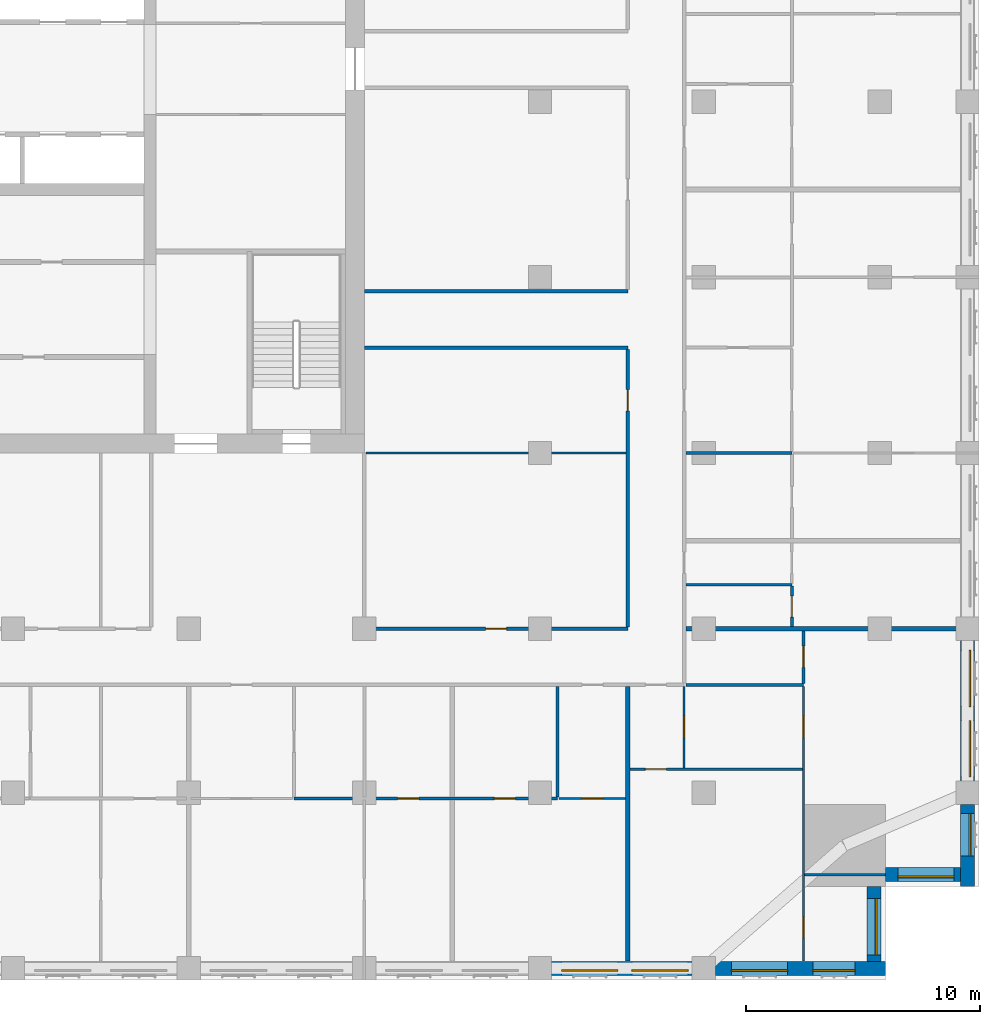
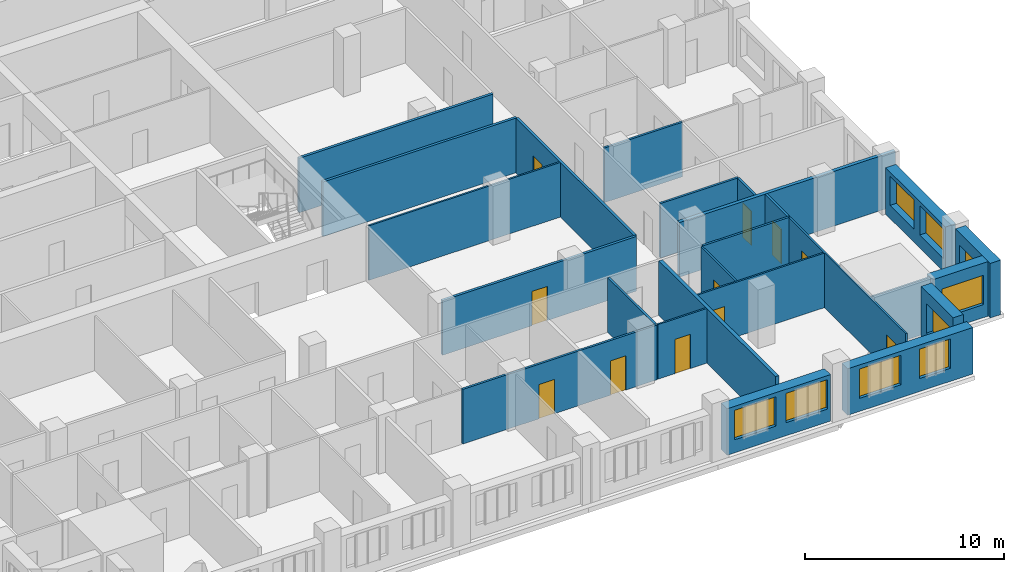
# One storey, part 6 of 14: 25 walls, 11 doors, 9 windows, 20 openings.
"""IFC4 building model written with IfcOpenShell, lengths in metres."""

from ifc_helpers import new_model, si_unit, direction, frame, frame_2d, origin, place, context, subcontext, project, spatial, rectangle, extrude, material, layer, layer_set, type_object, element, fill, save


model = new_model("IFC4")

# Units and contexts
model_context = context("Model", 3, precision=1e-05, world=origin(), true_north=direction((0.0, 1.0)))
body_context = subcontext(model_context, "Body", "Model", "MODEL_VIEW")
ifc_project = project(units=[si_unit("LENGTHUNIT", "METRE"), si_unit("AREAUNIT", "SQUARE_METRE"), si_unit("VOLUMEUNIT", "CUBIC_METRE"), si_unit("PLANEANGLEUNIT", "RADIAN"), si_unit("MASSUNIT", "GRAM", prefix="KILO")], contexts=[model_context])

# Site, building, storey
site_placement = place(None, origin())
site = spatial("IfcSite", under=ifc_project, at=site_placement, CompositionType="ELEMENT")
building_placement = place(site_placement, origin())
building = spatial("IfcBuilding", under=site, at=building_placement, Name="Tamorin Gate", CompositionType="ELEMENT")
storey_placement = place(building_placement, frame((0.0, 0.0, 137.39990234375)))
storey = spatial("IfcBuildingStorey", under=building, at=storey_placement, Name="L33", CompositionType="ELEMENT", Elevation=137.39990234375)

# Wall, openings, windows
ifc_material_1 = material(Name="Precast concrete C40/50", Category="concrete")
ifc_layer_1 = layer(ifc_material_1, 0.60009765625)
ifc_layer_set_1 = layer_set([ifc_layer_1], Name="Precast concrete C40/50")
wall_type_1 = type_object("IfcWallType", Name="Board-marked concrete facade panel 600", PredefinedType="SOLIDWALL", material=ifc_layer_set_1)
wall_1_placement = place(storey_placement, frame((68.0, 38.0, 0.0), z_axis=(0.0, 0.0, 1.0), x_axis=(1.0, 0.0, 0.0)))
wall_1 = element("IfcWall", 1, at=wall_1_placement, inside=storey, type_object=wall_type_1, Name="Facade panel", PredefinedType="SOLIDWALL", context=body_context, shape_type="SweptSolid", body=[
    extrude(rectangle(XDim=6.0, YDim=0.60009765625, at=frame_2d((3.0, 0.0))), origin(), (0.0, 0.0, 1.0), 2.85009765625),
])
opening_1_placement = place(wall_1_placement, frame((0.425048828125, 0.0, 0.800048828125)))
opening_1 = element("IfcOpeningElement", 2, at=opening_1_placement, cuts=wall_1, Name="Opening WN1", PredefinedType="OPENING", context=body_context, shape_type="SweptSolid", body=[
    extrude(rectangle(XDim=2.39990234375, YDim=1.800048828125, at=frame_2d((1.199951171875, 0.89990234375))), frame((0.0, 0.31005859375, 0.0), z_axis=(0.0, -1.0, 0.0), x_axis=(1.0, 0.0, 0.0)), (0.0, 0.0, 1.0), 0.6201171875),
])
opening_2_placement = place(wall_1_placement, frame((3.425048828125, 0.0, 0.800048828125)))
opening_2 = element("IfcOpeningElement", 3, at=opening_2_placement, cuts=wall_1, Name="Opening WN1", PredefinedType="OPENING", context=body_context, shape_type="SweptSolid", body=[
    extrude(rectangle(XDim=2.39990234375, YDim=1.800048828125, at=frame_2d((1.199951171875, 0.89990234375))), frame((0.0, 0.31005859375, 0.0), z_axis=(0.0, -1.0, 0.0), x_axis=(1.0, 0.0, 0.0)), (0.0, 0.0, 1.0), 0.6201171875),
])
ifc_material_2 = material(Name="Clear glass in aluminium frame", Category="aluminium")
window_type_1 = type_object("IfcWindowType", Name="Deep-set window 2400x1800", PartitioningType="SINGLE_PANEL", PredefinedType="WINDOW", material=ifc_material_2)
window_1_placement = place(opening_1_placement, origin())
window_1 = element("IfcWindow", 4, at=window_1_placement, inside=storey, type_object=window_type_1, Name="Deep-set window", OverallHeight=1.800048828125, OverallWidth=2.39990234375, PartitioningType="SINGLE_PANEL", PredefinedType="WINDOW", context=body_context, shape_type="SweptSolid", body=[
    extrude(rectangle(XDim=2.39990234375, YDim=1.800048828125, at=frame_2d((1.199951171875, 0.89990234375))), frame((0.0, -0.070068359375, 0.0), z_axis=(0.0, -1.0, 0.0), x_axis=(1.0, 0.0, 0.0)), (0.0, 0.0, 1.0), 0.06005859375),
])
fill(opening_1, window_1)
window_2_placement = place(opening_2_placement, origin())
window_2 = element("IfcWindow", 5, at=window_2_placement, inside=storey, type_object=window_type_1, Name="Deep-set window", OverallHeight=1.800048828125, OverallWidth=2.39990234375, PartitioningType="SINGLE_PANEL", PredefinedType="WINDOW", context=body_context, shape_type="SweptSolid", body=[
    extrude(rectangle(XDim=2.39990234375, YDim=1.800048828125, at=frame_2d((1.199951171875, 0.89990234375))), frame((0.0, -0.070068359375, 0.0), z_axis=(0.0, -1.0, 0.0), x_axis=(1.0, 0.0, 0.0)), (0.0, 0.0, 1.0), 0.06005859375),
])
fill(opening_2, window_2)

wall_2_placement = place(storey_placement, frame((75.0, 38.0, 0.0), z_axis=(0.0, 0.0, 1.0), x_axis=(1.0, 0.0, 0.0)))
wall_2 = element("IfcWall", 6, at=wall_2_placement, inside=storey, type_object=wall_type_1, Name="Facade panel", PredefinedType="SOLIDWALL", context=body_context, shape_type="SweptSolid", body=[
    extrude(rectangle(XDim=7.25, YDim=0.60009765625, at=frame_2d((3.625, 0.0))), origin(), (0.0, 0.0, 1.0), 2.85009765625),
])
opening_3_placement = place(wall_2_placement, frame((0.675048828125, 0.0, 0.800048828125)))
opening_3 = element("IfcOpeningElement", 7, at=opening_3_placement, cuts=wall_2, Name="Opening WN1", PredefinedType="OPENING", context=body_context, shape_type="SweptSolid", body=[
    extrude(rectangle(XDim=2.39990234375, YDim=1.800048828125, at=frame_2d((1.199951171875, 0.89990234375))), frame((0.0, 0.31005859375, 0.0), z_axis=(0.0, -1.0, 0.0), x_axis=(1.0, 0.0, 0.0)), (0.0, 0.0, 1.0), 0.6201171875),
])
opening_4_placement = place(wall_2_placement, frame((4.14990234375, 0.0, 0.800048828125)))
opening_4 = element("IfcOpeningElement", 8, at=opening_4_placement, cuts=wall_2, Name="Opening WN2", PredefinedType="OPENING", context=body_context, shape_type="SweptSolid", body=[
    extrude(rectangle(XDim=1.800048828125, YDim=1.800048828125, at=frame_2d((0.89990234375, 0.89990234375))), frame((0.0, 0.31005859375, 0.0), z_axis=(0.0, -1.0, 0.0), x_axis=(1.0, 0.0, 0.0)), (0.0, 0.0, 1.0), 0.6201171875),
])
window_type_2 = type_object("IfcWindowType", Name="Deep-set window 1800x1800", PartitioningType="SINGLE_PANEL", PredefinedType="WINDOW", material=ifc_material_2)
window_3_placement = place(opening_4_placement, origin())
window_3 = element("IfcWindow", 9, at=window_3_placement, inside=storey, type_object=window_type_2, Name="Deep-set window", OverallHeight=1.800048828125, OverallWidth=1.800048828125, PartitioningType="SINGLE_PANEL", PredefinedType="WINDOW", context=body_context, shape_type="SweptSolid", body=[
    extrude(rectangle(XDim=1.800048828125, YDim=1.800048828125, at=frame_2d((0.89990234375, 0.89990234375))), frame((0.0, -0.070068359375, 0.0), z_axis=(0.0, -1.0, 0.0), x_axis=(1.0, 0.0, 0.0)), (0.0, 0.0, 1.0), 0.06005859375),
])
fill(opening_4, window_3)
window_4_placement = place(opening_3_placement, origin())
window_4 = element("IfcWindow", 10, at=window_4_placement, inside=storey, type_object=window_type_1, Name="Deep-set window", OverallHeight=1.800048828125, OverallWidth=2.39990234375, PartitioningType="SINGLE_PANEL", PredefinedType="WINDOW", context=body_context, shape_type="SweptSolid", body=[
    extrude(rectangle(XDim=2.39990234375, YDim=1.800048828125, at=frame_2d((1.199951171875, 0.89990234375))), frame((0.0, -0.070068359375, 0.0), z_axis=(0.0, -1.0, 0.0), x_axis=(1.0, 0.0, 0.0)), (0.0, 0.0, 1.0), 0.06005859375),
])
fill(opening_3, window_4)

# Wall, opening, window
wall_3_placement = place(storey_placement, frame((81.75, 38.300048828125, 0.0), z_axis=(0.0, 0.0, 1.0), x_axis=(0.0, 1.0, 0.0)))
wall_3 = element("IfcWall", 11, at=wall_3_placement, inside=storey, type_object=wall_type_1, Name="Facade panel", PredefinedType="SOLIDWALL", context=body_context, shape_type="SweptSolid", body=[
    extrude(rectangle(XDim=3.199951171875, YDim=0.60009765625, at=frame_2d((1.60009765625, 0.0))), origin(), (0.0, 0.0, 1.0), 3.35009765625),
])
opening_5_placement = place(wall_3_placement, frame((0.27490234375, 0.0, 0.800048828125)))
opening_5 = element("IfcOpeningElement", 12, at=opening_5_placement, cuts=wall_3, Name="Opening WN1", PredefinedType="OPENING", context=body_context, shape_type="SweptSolid", body=[
    extrude(rectangle(XDim=2.39990234375, YDim=1.800048828125, at=frame_2d((1.199951171875, 0.89990234375))), frame((0.0, 0.31005859375, 0.0), z_axis=(0.0, -1.0, 0.0), x_axis=(1.0, 0.0, 0.0)), (0.0, 0.0, 1.0), 0.6201171875),
])
window_5_placement = place(opening_5_placement, origin())
window_5 = element("IfcWindow", 13, at=window_5_placement, inside=storey, type_object=window_type_1, Name="Deep-set window", OverallHeight=1.800048828125, OverallWidth=2.39990234375, PartitioningType="SINGLE_PANEL", PredefinedType="WINDOW", context=body_context, shape_type="SweptSolid", body=[
    extrude(rectangle(XDim=2.39990234375, YDim=1.800048828125, at=frame_2d((1.199951171875, 0.89990234375))), frame((0.0, -0.070068359375, 0.0), z_axis=(0.0, -1.0, 0.0), x_axis=(1.0, 0.0, 0.0)), (0.0, 0.0, 1.0), 0.06005859375),
])
fill(opening_5, window_5)

wall_4_placement = place(storey_placement, frame((82.25, 42.0, 0.0), z_axis=(0.0, 0.0, 1.0), x_axis=(1.0, 0.0, 0.0)))
wall_4 = element("IfcWall", 14, at=wall_4_placement, inside=storey, type_object=wall_type_1, Name="Facade panel", PredefinedType="SOLIDWALL", context=body_context, shape_type="SweptSolid", body=[
    extrude(rectangle(XDim=3.199951171875, YDim=0.60009765625, at=frame_2d((1.60009765625, 0.0))), origin(), (0.0, 0.0, 1.0), 3.35009765625),
])
opening_6_placement = place(wall_4_placement, frame((0.52490234375, 0.0, 0.800048828125)))
opening_6 = element("IfcOpeningElement", 15, at=opening_6_placement, cuts=wall_4, Name="Opening WN1", PredefinedType="OPENING", context=body_context, shape_type="SweptSolid", body=[
    extrude(rectangle(XDim=2.39990234375, YDim=1.800048828125, at=frame_2d((1.199951171875, 0.89990234375))), frame((0.0, 0.31005859375, 0.0), z_axis=(0.0, -1.0, 0.0), x_axis=(1.0, 0.0, 0.0)), (0.0, 0.0, 1.0), 0.6201171875),
])
window_6_placement = place(opening_6_placement, origin())
window_6 = element("IfcWindow", 16, at=window_6_placement, inside=storey, type_object=window_type_1, Name="Deep-set window", OverallHeight=1.800048828125, OverallWidth=2.39990234375, PartitioningType="SINGLE_PANEL", PredefinedType="WINDOW", context=body_context, shape_type="SweptSolid", body=[
    extrude(rectangle(XDim=2.39990234375, YDim=1.800048828125, at=frame_2d((1.199951171875, 0.89990234375))), frame((0.0, -0.070068359375, 0.0), z_axis=(0.0, -1.0, 0.0), x_axis=(1.0, 0.0, 0.0)), (0.0, 0.0, 1.0), 0.06005859375),
])
fill(opening_6, window_6)

wall_5_placement = place(storey_placement, frame((85.75, 41.5, 0.0), z_axis=(0.0, 0.0, 1.0), x_axis=(0.0, 1.0, 0.0)))
wall_5 = element("IfcWall", 17, at=wall_5_placement, inside=storey, type_object=wall_type_1, Name="Facade panel", PredefinedType="SOLIDWALL", context=body_context, shape_type="SweptSolid", body=[
    extrude(rectangle(XDim=3.5, YDim=0.60009765625, at=frame_2d((1.75, 0.0))), origin(), (0.0, 0.0, 1.0), 3.35009765625),
])
opening_7_placement = place(wall_5_placement, frame((1.300048828125, 0.0, 0.800048828125)))
opening_7 = element("IfcOpeningElement", 18, at=opening_7_placement, cuts=wall_5, Name="Opening WN2", PredefinedType="OPENING", context=body_context, shape_type="SweptSolid", body=[
    extrude(rectangle(XDim=1.800048828125, YDim=1.800048828125, at=frame_2d((0.89990234375, 0.89990234375))), frame((0.0, 0.31005859375, 0.0), z_axis=(0.0, -1.0, 0.0), x_axis=(1.0, 0.0, 0.0)), (0.0, 0.0, 1.0), 0.6201171875),
])
window_7_placement = place(opening_7_placement, origin())
window_7 = element("IfcWindow", 19, at=window_7_placement, inside=storey, type_object=window_type_2, Name="Deep-set window", OverallHeight=1.800048828125, OverallWidth=1.800048828125, PartitioningType="SINGLE_PANEL", PredefinedType="WINDOW", context=body_context, shape_type="SweptSolid", body=[
    extrude(rectangle(XDim=1.800048828125, YDim=1.800048828125, at=frame_2d((0.89990234375, 0.89990234375))), frame((0.0, -0.070068359375, 0.0), z_axis=(0.0, -1.0, 0.0), x_axis=(1.0, 0.0, 0.0)), (0.0, 0.0, 1.0), 0.06005859375),
])
fill(opening_7, window_7)

# Wall, openings, windows
wall_6_placement = place(storey_placement, frame((85.75, 46.0, 0.0), z_axis=(0.0, 0.0, 1.0), x_axis=(0.0, 1.0, 0.0)))
wall_6 = element("IfcWall", 20, at=wall_6_placement, inside=storey, type_object=wall_type_1, Name="Facade panel", PredefinedType="SOLIDWALL", context=body_context, shape_type="SweptSolid", body=[
    extrude(rectangle(XDim=6.0, YDim=0.60009765625, at=frame_2d((3.0, 0.0))), origin(), (0.0, 0.0, 1.0), 2.85009765625),
])
opening_8_placement = place(wall_6_placement, frame((0.175048828125, 0.0, 0.800048828125)))
opening_8 = element("IfcOpeningElement", 21, at=opening_8_placement, cuts=wall_6, Name="Opening WN1", PredefinedType="OPENING", context=body_context, shape_type="SweptSolid", body=[
    extrude(rectangle(XDim=2.39990234375, YDim=1.800048828125, at=frame_2d((1.199951171875, 0.89990234375))), frame((0.0, 0.31005859375, 0.0), z_axis=(0.0, -1.0, 0.0), x_axis=(1.0, 0.0, 0.0)), (0.0, 0.0, 1.0), 0.6201171875),
])
opening_9_placement = place(wall_6_placement, frame((3.175048828125, 0.0, 0.800048828125)))
opening_9 = element("IfcOpeningElement", 22, at=opening_9_placement, cuts=wall_6, Name="Opening WN1", PredefinedType="OPENING", context=body_context, shape_type="SweptSolid", body=[
    extrude(rectangle(XDim=2.39990234375, YDim=1.800048828125, at=frame_2d((1.199951171875, 0.89990234375))), frame((0.0, 0.31005859375, 0.0), z_axis=(0.0, -1.0, 0.0), x_axis=(1.0, 0.0, 0.0)), (0.0, 0.0, 1.0), 0.6201171875),
])
window_8_placement = place(opening_8_placement, origin())
window_8 = element("IfcWindow", 23, at=window_8_placement, inside=storey, type_object=window_type_1, Name="Deep-set window", OverallHeight=1.800048828125, OverallWidth=2.39990234375, PartitioningType="SINGLE_PANEL", PredefinedType="WINDOW", context=body_context, shape_type="SweptSolid", body=[
    extrude(rectangle(XDim=2.39990234375, YDim=1.800048828125, at=frame_2d((1.199951171875, 0.89990234375))), frame((0.0, -0.070068359375, 0.0), z_axis=(0.0, -1.0, 0.0), x_axis=(1.0, 0.0, 0.0)), (0.0, 0.0, 1.0), 0.06005859375),
])
fill(opening_8, window_8)
window_9_placement = place(opening_9_placement, origin())
window_9 = element("IfcWindow", 24, at=window_9_placement, inside=storey, type_object=window_type_1, Name="Deep-set window", OverallHeight=1.800048828125, OverallWidth=2.39990234375, PartitioningType="SINGLE_PANEL", PredefinedType="WINDOW", context=body_context, shape_type="SweptSolid", body=[
    extrude(rectangle(XDim=2.39990234375, YDim=1.800048828125, at=frame_2d((1.199951171875, 0.89990234375))), frame((0.0, -0.070068359375, 0.0), z_axis=(0.0, -1.0, 0.0), x_axis=(1.0, 0.0, 0.0)), (0.0, 0.0, 1.0), 0.06005859375),
])
fill(opening_9, window_9)

# Wall, opening, door
ifc_material_3 = material(Name="Gypsum board partition")
ifc_layer_2 = layer(ifc_material_3, 0.14990234375)
ifc_layer_set_2 = layer_set([ifc_layer_2], Name="Corridor wall 150")
wall_type_2 = type_object("IfcWallType", Name="Corridor wall 150", PredefinedType="PARTITIONING", material=ifc_layer_set_2)
wall_7_placement = place(storey_placement, frame((60.0, 52.5, 0.0), z_axis=(0.0, 0.0, 1.0), x_axis=(1.0, 0.0, 0.0)))
wall_7 = element("IfcWall", 25, at=wall_7_placement, inside=storey, type_object=wall_type_2, Name="Corridor wall 150", PredefinedType="PARTITIONING", context=body_context, shape_type="SweptSolid", body=[
    extrude(rectangle(XDim=11.25, YDim=0.14990234375, at=frame_2d((5.625, 0.0))), origin(), (0.0, 0.0, 1.0), 3.35009765625),
])
opening_10_placement = place(wall_7_placement, frame((5.175048828125, 0.0, 0.0)))
opening_10 = element("IfcOpeningElement", 26, at=opening_10_placement, cuts=wall_7, Name="Opening DS3072", PredefinedType="OPENING", context=body_context, shape_type="SweptSolid", body=[
    extrude(rectangle(XDim=0.89990234375, YDim=2.10009765625, at=frame_2d((0.449951171875, 1.050048828125))), frame((0.0, 0.0849609375, 0.0), z_axis=(0.0, -1.0, 0.0), x_axis=(1.0, 0.0, 0.0)), (0.0, 0.0, 1.0), 0.169921875),
])
ifc_material_4 = material(Name="Timber door leaf", Category="wood")
door_type_1 = type_object("IfcDoorType", Name="Door 900 x 2100 FD30S", OperationType="NOTDEFINED", PredefinedType="DOOR", material=ifc_material_4)
door_1_placement = place(opening_10_placement, origin())
door_1 = element("IfcDoor", 27, at=door_1_placement, inside=storey, type_object=door_type_1, Name="Door DS3072", OperationType="SINGLE_SWING_LEFT", OverallHeight=2.10009765625, OverallWidth=0.89990234375, PredefinedType="DOOR", context=body_context, shape_type="SweptSolid", body=[
    extrude(rectangle(XDim=0.89990234375, YDim=2.10009765625, at=frame_2d((0.449951171875, 1.050048828125))), frame((0.0, 0.02490234375, 0.0), z_axis=(0.0, -1.0, 0.0), x_axis=(1.0, 0.0, 0.0)), (0.0, 0.0, 1.0), 0.050048828125),
])
fill(opening_10, door_1)

wall_8_placement = place(storey_placement, frame((71.25, 52.574951171875, 0.0), z_axis=(0.0, 0.0, 1.0), x_axis=(0.0, 1.0, 0.0)))
wall_8 = element("IfcWall", 28, at=wall_8_placement, inside=storey, type_object=wall_type_2, Name="Corridor wall 150", PredefinedType="PARTITIONING", context=body_context, shape_type="SweptSolid", body=[
    extrude(rectangle(XDim=11.85009765625, YDim=0.14990234375, at=frame_2d((5.925048828125, 0.0))), origin(), (0.0, 0.0, 1.0), 3.35009765625),
])
opening_11_placement = place(wall_8_placement, frame((9.22509765625, 0.0, 0.0)))
opening_11 = element("IfcOpeningElement", 29, at=opening_11_placement, cuts=wall_8, Name="Opening DS3075", PredefinedType="OPENING", context=body_context, shape_type="SweptSolid", body=[
    extrude(rectangle(XDim=0.89990234375, YDim=2.10009765625, at=frame_2d((0.449951171875, 1.050048828125))), frame((0.0, 0.0849609375, 0.0), z_axis=(0.0, -1.0, 0.0), x_axis=(1.0, 0.0, 0.0)), (0.0, 0.0, 1.0), 0.169921875),
])
door_2_placement = place(opening_11_placement, origin())
door_2 = element("IfcDoor", 30, at=door_2_placement, inside=storey, type_object=door_type_1, Name="Door DS3075", OperationType="SINGLE_SWING_LEFT", OverallHeight=2.10009765625, OverallWidth=0.89990234375, PredefinedType="DOOR", context=body_context, shape_type="SweptSolid", body=[
    extrude(rectangle(XDim=0.89990234375, YDim=2.10009765625, at=frame_2d((0.449951171875, 1.050048828125))), frame((0.0, 0.02490234375, 0.0), z_axis=(0.0, -1.0, 0.0), x_axis=(1.0, 0.0, 0.0)), (0.0, 0.0, 1.0), 0.050048828125),
])
fill(opening_11, door_2)

# Walls
ifc_layer_3 = layer(ifc_material_3, 0.199951171875)
ifc_layer_set_3 = layer_set([ifc_layer_3], Name="Demising wall 200")
wall_type_3 = type_object("IfcWallType", Name="Demising wall 200", PredefinedType="PARTITIONING", material=ifc_layer_set_3)
wall_9_placement = place(storey_placement, frame((73.72509765625, 52.5, 0.0), z_axis=(0.0, 0.0, 1.0), x_axis=(1.0, 0.0, 0.0)))
element("IfcWall", 31, at=wall_9_placement, inside=storey, type_object=wall_type_3, Name="Demising wall 200", PredefinedType="PARTITIONING", context=body_context, shape_type="SweptSolid", body=[
    extrude(rectangle(XDim=12.52490234375, YDim=0.199951171875, at=frame_2d((6.262451171875, 0.0))), origin(), (0.0, 0.0, 1.0), 3.35009765625),
])
wall_10_placement = place(storey_placement, frame((71.25, 38.31005859375, 0.0), z_axis=(0.0, 0.0, 1.0), x_axis=(0.0, 1.0, 0.0)))
element("IfcWall", 32, at=wall_10_placement, inside=storey, type_object=wall_type_3, Name="Demising wall 200", PredefinedType="PARTITIONING", context=body_context, shape_type="SweptSolid", body=[
    extrude(rectangle(XDim=11.71484375, YDim=0.199951171875, at=frame_2d((5.857421875, 0.0))), origin(), (0.0, 0.0, 1.0), 3.35009765625),
])
ifc_layer_4 = layer(ifc_material_3, 0.14990234375)
ifc_layer_set_4 = layer_set([ifc_layer_4], Name="Lobby wall 150")
wall_type_4 = type_object("IfcWallType", Name="Lobby wall 150", PredefinedType="PARTITIONING", material=ifc_layer_set_4)
for number, where, z_axis, x_axis, name in (
    (33, (60.0, 64.5, 0.0), (0.0, 0.0, 1.0), (1.0, 0.0, 0.0), "Lobby wall 150"),
    (34, (60.0, 66.89990234375, 0.0), (0.0, 0.0, 1.0), (1.0, 0.0, 0.0), "Lobby wall 150"),
):
    element("IfcWall", number, at=place(storey_placement, frame(where, z_axis=z_axis, x_axis=x_axis)), inside=storey, type_object=wall_type_4, Name=name, PredefinedType="PARTITIONING", context=body_context, shape_type="SweptSolid", body=[
        extrude(rectangle(XDim=11.25, YDim=0.14990234375, at=frame_2d((5.625, 0.0))), origin(), (0.0, 0.0, 1.0), 3.35009765625),
    ])
ifc_layer_5 = layer(ifc_material_3, 0.10009765625)
ifc_layer_set_5 = layer_set([ifc_layer_5], Name="Room partition 100")
wall_type_5 = type_object("IfcWallType", Name="Room partition 100", PredefinedType="PARTITIONING", material=ifc_layer_set_5)
wall_11_placement = place(storey_placement, frame((78.800048828125, 42.0, 0.0), z_axis=(0.0, 0.0, 1.0), x_axis=(1.0, 0.0, 0.0)))
element("IfcWall", 35, at=wall_11_placement, inside=storey, type_object=wall_type_5, Name="Room partition 100", PredefinedType="PARTITIONING", context=body_context, shape_type="SweptSolid", body=[
    extrude(rectangle(XDim=3.43994140625, YDim=0.10009765625, at=frame_2d((1.719970703125, 0.0))), origin(), (0.0, 0.0, 1.0), 3.35009765625),
])

# Wall, opening, door
wall_12_placement = place(storey_placement, frame((68.3125, 45.25, 0.0), z_axis=(0.0, 0.0, 1.0), x_axis=(1.0, 0.0, 0.0)))
wall_12 = element("IfcWall", 36, at=wall_12_placement, inside=storey, type_object=wall_type_5, Name="Room partition 100", PredefinedType="PARTITIONING", context=body_context, shape_type="SweptSolid", body=[
    extrude(rectangle(XDim=2.83740234375, YDim=0.10009765625, at=frame_2d((1.418701171875, 0.0))), origin(), (0.0, 0.0, 1.0), 3.35009765625),
])
opening_12_placement = place(wall_12_placement, frame((0.987548828125, 0.0, 0.0)))
opening_12 = element("IfcOpeningElement", 37, at=opening_12_placement, cuts=wall_12, Name="Opening DS3017", PredefinedType="OPENING", context=body_context, shape_type="SweptSolid", body=[
    extrude(rectangle(XDim=0.89990234375, YDim=2.10009765625, at=frame_2d((0.449951171875, 1.050048828125))), frame((0.0, 0.06005859375, 0.0), z_axis=(0.0, -1.0, 0.0), x_axis=(1.0, 0.0, 0.0)), (0.0, 0.0, 1.0), 0.1201171875),
])
door_type_2 = type_object("IfcDoorType", Name="Door 900 x 2100", OperationType="NOTDEFINED", PredefinedType="DOOR", material=ifc_material_4)
door_3_placement = place(opening_12_placement, origin())
door_3 = element("IfcDoor", 38, at=door_3_placement, inside=storey, type_object=door_type_2, Name="Door DS3017", OperationType="SINGLE_SWING_LEFT", OverallHeight=2.10009765625, OverallWidth=0.89990234375, PredefinedType="DOOR", context=body_context, shape_type="SweptSolid", body=[
    extrude(rectangle(XDim=0.89990234375, YDim=2.10009765625, at=frame_2d((0.449951171875, 1.050048828125))), frame((0.0, 0.02490234375, 0.0), z_axis=(0.0, -1.0, 0.0), x_axis=(1.0, 0.0, 0.0)), (0.0, 0.0, 1.0), 0.050048828125),
])
fill(opening_12, door_3)

wall_13_placement = place(storey_placement, frame((71.35009765625, 46.5, 0.0), z_axis=(0.0, 0.0, 1.0), x_axis=(1.0, 0.0, 0.0)))
wall_13 = element("IfcWall", 39, at=wall_13_placement, inside=storey, type_object=wall_type_5, Name="Room partition 100", PredefinedType="PARTITIONING", context=body_context, shape_type="SweptSolid", body=[
    extrude(rectangle(XDim=7.349853515625, YDim=0.10009765625, at=frame_2d((3.6748046875, 0.0))), origin(), (0.0, 0.0, 1.0), 3.35009765625),
])
opening_13_placement = place(wall_13_placement, frame((0.64990234375, 0.0, 0.0)))
opening_13 = element("IfcOpeningElement", 40, at=opening_13_placement, cuts=wall_13, Name="Opening DS3057", PredefinedType="OPENING", context=body_context, shape_type="SweptSolid", body=[
    extrude(rectangle(XDim=0.89990234375, YDim=2.10009765625, at=frame_2d((0.449951171875, 1.050048828125))), frame((0.0, 0.06005859375, 0.0), z_axis=(0.0, -1.0, 0.0), x_axis=(1.0, 0.0, 0.0)), (0.0, 0.0, 1.0), 0.1201171875),
])
door_4_placement = place(opening_13_placement, origin())
door_4 = element("IfcDoor", 41, at=door_4_placement, inside=storey, type_object=door_type_2, Name="Door DS3057", OperationType="SINGLE_SWING_RIGHT", OverallHeight=2.10009765625, OverallWidth=0.89990234375, PredefinedType="DOOR", context=body_context, shape_type="SweptSolid", body=[
    extrude(rectangle(XDim=0.89990234375, YDim=2.10009765625, at=frame_2d((0.449951171875, 1.050048828125))), frame((0.0, 0.02490234375, 0.0), z_axis=(0.0, -1.0, 0.0), x_axis=(1.0, 0.0, 0.0)), (0.0, 0.0, 1.0), 0.050048828125),
])
fill(opening_13, door_4)

# Wall
wall_14_placement = place(storey_placement, frame((60.074951171875, 60.0, 0.0), z_axis=(0.0, 0.0, 1.0), x_axis=(1.0, 0.0, 0.0)))
element("IfcWall", 42, at=wall_14_placement, inside=storey, type_object=wall_type_5, Name="Room partition 100", PredefinedType="PARTITIONING", context=body_context, shape_type="SweptSolid", body=[
    extrude(rectangle(XDim=11.10009765625, YDim=0.10009765625, at=frame_2d((5.550048828125, 0.0))), origin(), (0.0, 0.0, 1.0), 3.35009765625),
])

# Wall, opening, door
wall_15_placement = place(storey_placement, frame((73.64990234375, 46.550048828125, 0.0), z_axis=(0.0, 0.0, 1.0), x_axis=(0.0, 1.0, 0.0)))
wall_15 = element("IfcWall", 43, at=wall_15_placement, inside=storey, type_object=wall_type_5, Name="Room partition 100", PredefinedType="PARTITIONING", context=body_context, shape_type="SweptSolid", body=[
    extrude(rectangle(XDim=3.474853515625, YDim=0.10009765625, at=frame_2d((1.7373046875, 0.0))), origin(), (0.0, 0.0, 1.0), 3.35009765625),
])
opening_14_placement = place(wall_15_placement, frame((1.300048828125, 0.0, 0.0)))
opening_14 = element("IfcOpeningElement", 44, at=opening_14_placement, cuts=wall_15, Name="Opening DS3058", PredefinedType="OPENING", context=body_context, shape_type="SweptSolid", body=[
    extrude(rectangle(XDim=0.89990234375, YDim=2.10009765625, at=frame_2d((0.449951171875, 1.050048828125))), frame((0.0, 0.06005859375, 0.0), z_axis=(0.0, -1.0, 0.0), x_axis=(1.0, 0.0, 0.0)), (0.0, 0.0, 1.0), 0.1201171875),
])
door_5_placement = place(opening_14_placement, origin())
door_5 = element("IfcDoor", 45, at=door_5_placement, inside=storey, type_object=door_type_2, Name="Door DS3058", OperationType="SINGLE_SWING_RIGHT", OverallHeight=2.10009765625, OverallWidth=0.89990234375, PredefinedType="DOOR", context=body_context, shape_type="SweptSolid", body=[
    extrude(rectangle(XDim=0.89990234375, YDim=2.10009765625, at=frame_2d((0.449951171875, 1.050048828125))), frame((0.0, 0.02490234375, 0.0), z_axis=(0.0, -1.0, 0.0), x_axis=(1.0, 0.0, 0.0)), (0.0, 0.0, 1.0), 0.050048828125),
])
fill(opening_14, door_5)

# Wall, openings, doors
wall_16_placement = place(storey_placement, frame((78.75, 38.31005859375, 0.0), z_axis=(0.0, 0.0, 1.0), x_axis=(0.0, 1.0, 0.0)))
wall_16 = element("IfcWall", 46, at=wall_16_placement, inside=storey, type_object=wall_type_5, Name="Room partition 100", PredefinedType="PARTITIONING", context=body_context, shape_type="SweptSolid", body=[
    extrude(rectangle(XDim=11.7275390625, YDim=0.10009765625, at=frame_2d((5.86376953125, 0.0))), origin(), (0.0, 0.0, 1.0), 3.35009765625),
])
opening_15_placement = place(wall_16_placement, frame((0.989990234375, 0.0, 0.0)))
opening_15 = element("IfcOpeningElement", 47, at=opening_15_placement, cuts=wall_16, Name="Opening DS3059", PredefinedType="OPENING", context=body_context, shape_type="SweptSolid", body=[
    extrude(rectangle(XDim=0.89990234375, YDim=2.10009765625, at=frame_2d((0.449951171875, 1.050048828125))), frame((0.0, 0.06005859375, 0.0), z_axis=(0.0, -1.0, 0.0), x_axis=(1.0, 0.0, 0.0)), (0.0, 0.0, 1.0), 0.1201171875),
])
opening_16_placement = place(wall_16_placement, frame((9.5400390625, 0.0, 0.0)))
opening_16 = element("IfcOpeningElement", 48, at=opening_16_placement, cuts=wall_16, Name="Opening DS3060", PredefinedType="OPENING", context=body_context, shape_type="SweptSolid", body=[
    extrude(rectangle(XDim=0.89990234375, YDim=2.10009765625, at=frame_2d((0.449951171875, 1.050048828125))), frame((0.0, 0.06005859375, 0.0), z_axis=(0.0, -1.0, 0.0), x_axis=(1.0, 0.0, 0.0)), (0.0, 0.0, 1.0), 0.1201171875),
])
door_6_placement = place(opening_15_placement, origin())
door_6 = element("IfcDoor", 49, at=door_6_placement, inside=storey, type_object=door_type_2, Name="Door DS3059", OperationType="SINGLE_SWING_LEFT", OverallHeight=2.10009765625, OverallWidth=0.89990234375, PredefinedType="DOOR", context=body_context, shape_type="SweptSolid", body=[
    extrude(rectangle(XDim=0.89990234375, YDim=2.10009765625, at=frame_2d((0.449951171875, 1.050048828125))), frame((0.0, 0.02490234375, 0.0), z_axis=(0.0, -1.0, 0.0), x_axis=(1.0, 0.0, 0.0)), (0.0, 0.0, 1.0), 0.050048828125),
])
fill(opening_15, door_6)
door_7_placement = place(opening_16_placement, origin())
door_7 = element("IfcDoor", 50, at=door_7_placement, inside=storey, type_object=door_type_2, Name="Door DS3060", OperationType="SINGLE_SWING_RIGHT", OverallHeight=2.10009765625, OverallWidth=0.89990234375, PredefinedType="DOOR", context=body_context, shape_type="SweptSolid", body=[
    extrude(rectangle(XDim=0.89990234375, YDim=2.10009765625, at=frame_2d((0.449951171875, 1.050048828125))), frame((0.0, 0.02490234375, 0.0), z_axis=(0.0, -1.0, 0.0), x_axis=(1.0, 0.0, 0.0)), (0.0, 0.0, 1.0), 0.050048828125),
])
fill(opening_16, door_7)

ifc_layer_6 = layer(ifc_material_3, 0.125)
ifc_layer_set_6 = layer_set([ifc_layer_6], Name="Wet wall 125")
wall_type_6 = type_object("IfcWallType", Name="Wet wall 125", PredefinedType="PARTITIONING", material=ifc_layer_set_6)
wall_17_placement = place(storey_placement, frame((57.0, 45.25, 0.0), z_axis=(0.0, 0.0, 1.0), x_axis=(1.0, 0.0, 0.0)))
wall_17 = element("IfcWall", 51, at=wall_17_placement, inside=storey, type_object=wall_type_6, Name="Wet wall 125", PredefinedType="PARTITIONING", context=body_context, shape_type="SweptSolid", body=[
    extrude(rectangle(XDim=11.25, YDim=0.125, at=frame_2d((5.625, 0.0))), origin(), (0.0, 0.0, 1.0), 3.35009765625),
])
opening_17_placement = place(wall_17_placement, frame((4.425048828125, 0.0, 0.0)))
opening_17 = element("IfcOpeningElement", 52, at=opening_17_placement, cuts=wall_17, Name="Opening DS3013", PredefinedType="OPENING", context=body_context, shape_type="SweptSolid", body=[
    extrude(rectangle(XDim=0.89990234375, YDim=2.10009765625, at=frame_2d((0.449951171875, 1.050048828125))), frame((0.0, 0.072509765625, 0.0), z_axis=(0.0, -1.0, 0.0), x_axis=(1.0, 0.0, 0.0)), (0.0, 0.0, 1.0), 0.14501953125),
])
opening_18_placement = place(wall_17_placement, frame((8.550048828125, 0.0, 0.0)))
opening_18 = element("IfcOpeningElement", 53, at=opening_18_placement, cuts=wall_17, Name="Opening DS3015", PredefinedType="OPENING", context=body_context, shape_type="SweptSolid", body=[
    extrude(rectangle(XDim=0.89990234375, YDim=2.10009765625, at=frame_2d((0.449951171875, 1.050048828125))), frame((0.0, 0.072509765625, 0.0), z_axis=(0.0, -1.0, 0.0), x_axis=(1.0, 0.0, 0.0)), (0.0, 0.0, 1.0), 0.14501953125),
])
door_8_placement = place(opening_17_placement, origin())
door_8 = element("IfcDoor", 54, at=door_8_placement, inside=storey, type_object=door_type_2, Name="Door DS3013", OperationType="SINGLE_SWING_LEFT", OverallHeight=2.10009765625, OverallWidth=0.89990234375, PredefinedType="DOOR", context=body_context, shape_type="SweptSolid", body=[
    extrude(rectangle(XDim=0.89990234375, YDim=2.10009765625, at=frame_2d((0.449951171875, 1.050048828125))), frame((0.0, 0.02490234375, 0.0), z_axis=(0.0, -1.0, 0.0), x_axis=(1.0, 0.0, 0.0)), (0.0, 0.0, 1.0), 0.050048828125),
])
fill(opening_17, door_8)
door_9_placement = place(opening_18_placement, origin())
door_9 = element("IfcDoor", 55, at=door_9_placement, inside=storey, type_object=door_type_2, Name="Door DS3015", OperationType="SINGLE_SWING_LEFT", OverallHeight=2.10009765625, OverallWidth=0.89990234375, PredefinedType="DOOR", context=body_context, shape_type="SweptSolid", body=[
    extrude(rectangle(XDim=0.89990234375, YDim=2.10009765625, at=frame_2d((0.449951171875, 1.050048828125))), frame((0.0, 0.02490234375, 0.0), z_axis=(0.0, -1.0, 0.0), x_axis=(1.0, 0.0, 0.0)), (0.0, 0.0, 1.0), 0.050048828125),
])
fill(opening_18, door_9)

# Walls
wall_18_placement = place(storey_placement, frame((73.72509765625, 50.10009765625, 0.0), z_axis=(0.0, 0.0, 1.0), x_axis=(1.0, 0.0, 0.0)))
element("IfcWall", 56, at=wall_18_placement, inside=storey, type_object=wall_type_6, Name="Wet wall 125", PredefinedType="PARTITIONING", context=body_context, shape_type="SweptSolid", body=[
    extrude(rectangle(XDim=5.02490234375, YDim=0.125, at=frame_2d((2.512451171875, 0.0))), origin(), (0.0, 0.0, 1.0), 3.35009765625),
])
for number, where, z_axis, x_axis, name in (
    (57, (73.72509765625, 54.375, 0.0), (0.0, 0.0, 1.0), (1.0, 0.0, 0.0), "Wet wall 125"),
    (58, (73.72509765625, 60.0, 0.0), (0.0, 0.0, 1.0), (1.0, 0.0, 0.0), "Wet wall 125"),
):
    element("IfcWall", number, at=place(storey_placement, frame(where, z_axis=z_axis, x_axis=x_axis)), inside=storey, type_object=wall_type_6, Name=name, PredefinedType="PARTITIONING", context=body_context, shape_type="SweptSolid", body=[
        extrude(rectangle(XDim=4.52490234375, YDim=0.125, at=frame_2d((2.262451171875, 0.0))), origin(), (0.0, 0.0, 1.0), 3.35009765625),
    ])
wall_19_placement = place(storey_placement, frame((68.25, 45.3125, 0.0), z_axis=(0.0, 0.0, 1.0), x_axis=(0.0, 1.0, 0.0)))
element("IfcWall", 59, at=wall_19_placement, inside=storey, type_object=wall_type_6, Name="Wet wall 125", PredefinedType="PARTITIONING", context=body_context, shape_type="SweptSolid", body=[
    extrude(rectangle(XDim=4.71240234375, YDim=0.125, at=frame_2d((2.356201171875, 0.0))), origin(), (0.0, 0.0, 1.0), 3.35009765625),
])

# Wall, opening, door
wall_20_placement = place(storey_placement, frame((78.25, 52.60009765625, 0.0), z_axis=(0.0, 0.0, 1.0), x_axis=(0.0, 1.0, 0.0)))
wall_20 = element("IfcWall", 60, at=wall_20_placement, inside=storey, type_object=wall_type_6, Name="Wet wall 125", PredefinedType="PARTITIONING", context=body_context, shape_type="SweptSolid", body=[
    extrude(rectangle(XDim=1.71240234375, YDim=0.125, at=frame_2d((0.856201171875, 0.0))), origin(), (0.0, 0.0, 1.0), 3.35009765625),
])
opening_19_placement = place(wall_20_placement, frame((0.387451171875, 0.0, 0.0)))
opening_19 = element("IfcOpeningElement", 61, at=opening_19_placement, cuts=wall_20, Name="Opening DS3038", PredefinedType="OPENING", context=body_context, shape_type="SweptSolid", body=[
    extrude(rectangle(XDim=0.89990234375, YDim=2.10009765625, at=frame_2d((0.449951171875, 1.050048828125))), frame((0.0, 0.072509765625, 0.0), z_axis=(0.0, -1.0, 0.0), x_axis=(1.0, 0.0, 0.0)), (0.0, 0.0, 1.0), 0.14501953125),
])
door_10_placement = place(opening_19_placement, origin())
door_10 = element("IfcDoor", 62, at=door_10_placement, inside=storey, type_object=door_type_2, Name="Door DS3038", OperationType="SINGLE_SWING_LEFT", OverallHeight=2.10009765625, OverallWidth=0.89990234375, PredefinedType="DOOR", context=body_context, shape_type="SweptSolid", body=[
    extrude(rectangle(XDim=0.89990234375, YDim=2.10009765625, at=frame_2d((0.449951171875, 1.050048828125))), frame((0.0, 0.02490234375, 0.0), z_axis=(0.0, -1.0, 0.0), x_axis=(1.0, 0.0, 0.0)), (0.0, 0.0, 1.0), 0.050048828125),
])
fill(opening_19, door_10)

wall_21_placement = place(storey_placement, frame((78.75, 50.16259765625, 0.0), z_axis=(0.0, 0.0, 1.0), x_axis=(0.0, 1.0, 0.0)))
wall_21 = element("IfcWall", 63, at=wall_21_placement, inside=storey, type_object=wall_type_6, Name="Wet wall 125", PredefinedType="PARTITIONING", context=body_context, shape_type="SweptSolid", body=[
    extrude(rectangle(XDim=2.2373046875, YDim=0.125, at=frame_2d((1.11865234375, 0.0))), origin(), (0.0, 0.0, 1.0), 3.35009765625),
])
opening_20_placement = place(wall_21_placement, frame((0.6875, 0.0, 0.0)))
opening_20 = element("IfcOpeningElement", 64, at=opening_20_placement, cuts=wall_21, Name="Opening DS3061", PredefinedType="OPENING", context=body_context, shape_type="SweptSolid", body=[
    extrude(rectangle(XDim=0.89990234375, YDim=2.10009765625, at=frame_2d((0.449951171875, 1.050048828125))), frame((0.0, 0.072509765625, 0.0), z_axis=(0.0, -1.0, 0.0), x_axis=(1.0, 0.0, 0.0)), (0.0, 0.0, 1.0), 0.14501953125),
])
door_11_placement = place(opening_20_placement, origin())
door_11 = element("IfcDoor", 65, at=door_11_placement, inside=storey, type_object=door_type_2, Name="Door DS3061", OperationType="SINGLE_SWING_LEFT", OverallHeight=2.10009765625, OverallWidth=0.89990234375, PredefinedType="DOOR", context=body_context, shape_type="SweptSolid", body=[
    extrude(rectangle(XDim=0.89990234375, YDim=2.10009765625, at=frame_2d((0.449951171875, 1.050048828125))), frame((0.0, 0.02490234375, 0.0), z_axis=(0.0, -1.0, 0.0), x_axis=(1.0, 0.0, 0.0)), (0.0, 0.0, 1.0), 0.050048828125),
])
fill(opening_20, door_11)

save(model, "model.ifc")
